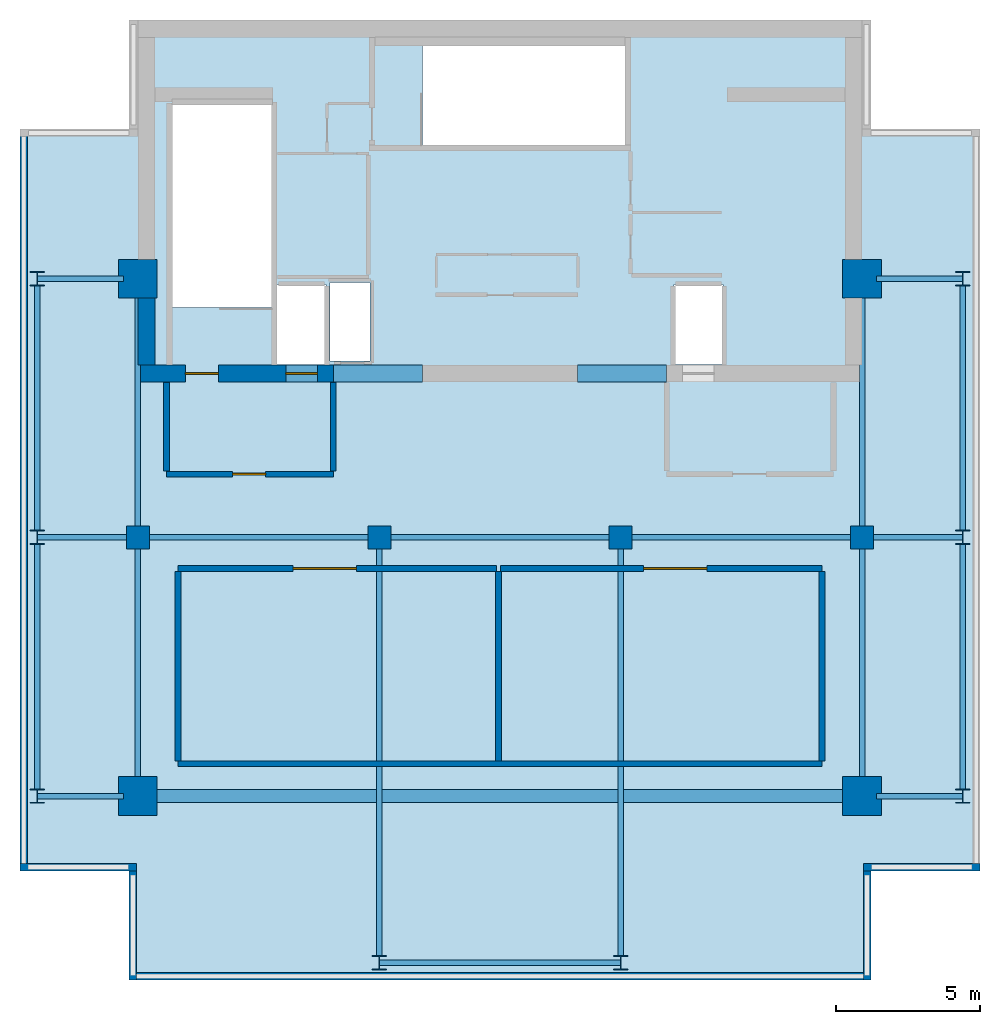
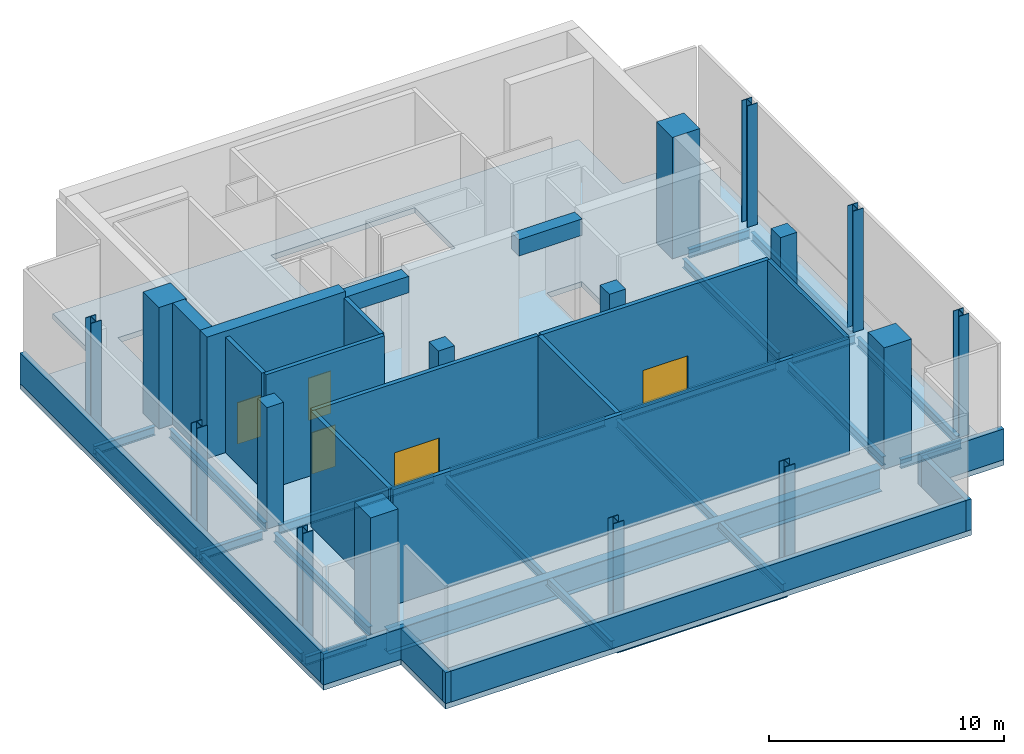
# One storey, part 1 of 4: 23 beams, 17 walls, 16 columns, 5 doors, 1 slab, 5 openings.
"""IFC4 building model written with IfcOpenShell, lengths in metres."""

from ifc_helpers import new_model, si_unit, direction, frame, frame_2d, origin, origin_2d, place, context, subcontext, project, spatial, polyline, rectangle, i_section, outline, extrude, material, layer, layer_set, material_profile, profile_set, type_object, element, fill, save


model = new_model("IFC4")

# Units and contexts
model_context = context("Model", 3, precision=1e-05, world=origin(), true_north=direction((0.0, 1.0)))
body_context = subcontext(model_context, "Body", "Model", "MODEL_VIEW")
ifc_project = project(units=[si_unit("LENGTHUNIT", "METRE"), si_unit("AREAUNIT", "SQUARE_METRE"), si_unit("VOLUMEUNIT", "CUBIC_METRE"), si_unit("PLANEANGLEUNIT", "RADIAN"), si_unit("MASSUNIT", "GRAM", prefix="KILO")], contexts=[model_context])

# Site, building, storey
site_placement = place(None, origin())
site = spatial("IfcSite", under=ifc_project, at=site_placement, CompositionType="ELEMENT")
building_placement = place(site_placement, origin())
building = spatial("IfcBuilding", under=site, at=building_placement, Name="Maruvema Waterfront Hotel and Observation Tower", CompositionType="ELEMENT")
storey_placement = place(building_placement, frame((0.0, 0.0, 369.949951171875)))
storey = spatial("IfcBuildingStorey", under=building, at=storey_placement, Name="L90", CompositionType="ELEMENT", Elevation=369.949951171875)

# Columns
ifc_material_1 = material(Name="Concrete C70/85", Category="concrete")
ifc_material_profile_1 = material_profile(ifc_material_1, rectangle(XDim=1.35009765625, YDim=1.35009765625, at=origin_2d()), Name="MC1350x1350")
ifc_profile_set_1 = profile_set([ifc_material_profile_1], Name="Concrete C70/85")
column_type_1 = type_object("IfcColumnType", Name="Continuous Mega-Column MC1350x1350", PredefinedType="COLUMN", material=ifc_profile_set_1)
for number, where, z_axis, x_axis, name in (
    (1, (25.199951171875, 27.0, 0.0), (0.0, 0.0, 1.0), (1.0, 0.0, 0.0), "L90 Continuous Mega-Column MC-01"),
    (2, (50.39990234375, 27.0, 0.0), (0.0, 0.0, 1.0), (1.0, 0.0, 0.0), "L90 Continuous Mega-Column MC-02"),
    (3, (25.199951171875, 45.0, 0.0), (0.0, 0.0, 1.0), (1.0, 0.0, 0.0), "L90 Continuous Mega-Column MC-03"),
    (4, (50.39990234375, 45.0, 0.0), (0.0, 0.0, 1.0), (1.0, 0.0, 0.0), "L90 Continuous Mega-Column MC-04"),
):
    element("IfcColumn", number, at=place(storey_placement, frame(where, z_axis=z_axis, x_axis=x_axis)), inside=storey, type_object=column_type_1, Name=name, PredefinedType="COLUMN", context=body_context, shape_type="SweptSolid", body=[
        extrude(rectangle(XDim=1.35009765625, YDim=1.35009765625, at=origin_2d()), origin(), (0.0, 0.0, 1.0), 6.300048828125),
    ])
ifc_material_2 = material(Name="Concrete C60/75", Category="concrete")
ifc_material_profile_2 = material_profile(ifc_material_2, rectangle(XDim=0.800048828125, YDim=0.800048828125, at=origin_2d()), Name="RC800x800")
ifc_profile_set_2 = profile_set([ifc_material_profile_2], Name="Concrete C60/75")
column_type_2 = type_object("IfcColumnType", Name="Reinforced Concrete Column RC800x800", PredefinedType="COLUMN", material=ifc_profile_set_2)
for number, where, z_axis, x_axis, name in (
    (5, (25.199951171875, 36.0, 0.0), (0.0, 0.0, 1.0), (1.0, 0.0, 0.0), "L90 Column C-4E"),
    (6, (33.60009765625, 36.0, 0.0), (0.0, 0.0, 1.0), (1.0, 0.0, 0.0), "L90 Column C-5E"),
    (7, (42.0, 36.0, 0.0), (0.0, 0.0, 1.0), (1.0, 0.0, 0.0), "L90 Column C-6E"),
    (8, (50.39990234375, 36.0, 0.0), (0.0, 0.0, 1.0), (1.0, 0.0, 0.0), "L90 Column C-7E"),
):
    element("IfcColumn", number, at=place(storey_placement, frame(where, z_axis=z_axis, x_axis=x_axis)), inside=storey, type_object=column_type_2, Name=name, PredefinedType="COLUMN", context=body_context, shape_type="SweptSolid", body=[
        extrude(rectangle(XDim=0.800048828125, YDim=0.800048828125, at=origin_2d()), origin(), (0.0, 0.0, 1.0), 6.300048828125),
    ])
ifc_material_3 = material(Name="Steel ABNT NBR 7007 AR 415 (ASTM A572 Grade 50)", Category="steel")
ifc_material_profile_3 = material_profile(ifc_material_3, i_section(OverallWidth=0.5, OverallDepth=0.5, WebThickness=0.02197265625, FlangeThickness=0.031982421875, at=origin_2d()), Name="CVS500x223")
ifc_profile_set_3 = profile_set([ifc_material_profile_3], Name="Steel ABNT NBR 7007 AR 415 (ASTM A572 Grade 50)")
column_type_3 = type_object("IfcColumnType", Name="Structural Steel Column CVS500x223", PredefinedType="COLUMN", material=ifc_profile_set_3)
for number, where, z_axis, x_axis, name in (
    (9, (21.699951171875, 27.0, 0.0), (0.0, 0.0, 1.0), (1.0, 0.0, 0.0), "L90 Column C-CRW27"),
    (10, (53.89990234375, 27.0, 0.0), (0.0, 0.0, 1.0), (1.0, 0.0, 0.0), "L90 Column C-CRE27"),
    (11, (21.699951171875, 36.0, 0.0), (0.0, 0.0, 1.0), (1.0, 0.0, 0.0), "L90 Column C-CRW36"),
    (12, (53.89990234375, 36.0, 0.0), (0.0, 0.0, 1.0), (1.0, 0.0, 0.0), "L90 Column C-CRE36"),
    (13, (21.699951171875, 45.0, 0.0), (0.0, 0.0, 1.0), (1.0, 0.0, 0.0), "L90 Column C-CRW45"),
    (14, (53.89990234375, 45.0, 0.0), (0.0, 0.0, 1.0), (1.0, 0.0, 0.0), "L90 Column C-CRE45"),
):
    element("IfcColumn", number, at=place(storey_placement, frame(where, z_axis=z_axis, x_axis=x_axis)), inside=storey, type_object=column_type_3, Name=name, PredefinedType="COLUMN", context=body_context, shape_type="SweptSolid", body=[
        extrude(i_section(OverallWidth=0.5, OverallDepth=0.5, WebThickness=0.02197265625, FlangeThickness=0.031982421875, at=origin_2d()), origin(), (0.0, 0.0, 1.0), 6.300048828125),
    ])
for number, where, z_axis, x_axis, name in (
    (15, (33.60009765625, 21.199951171875, 0.0), (0.0, 0.0, 1.0), (1.0, 0.0, 0.0), "L90 Column C-CRS5"),
    (16, (42.0, 21.199951171875, 0.0), (0.0, 0.0, 1.0), (1.0, 0.0, 0.0), "L90 Column C-CRS6"),
):
    element("IfcColumn", number, at=place(storey_placement, frame(where, z_axis=z_axis, x_axis=x_axis)), inside=storey, type_object=column_type_3, Name=name, PredefinedType="COLUMN", context=body_context, shape_type="SweptSolid", body=[
        extrude(i_section(OverallWidth=0.5, OverallDepth=0.5, WebThickness=0.02197265625, FlangeThickness=0.031982421875, at=origin_2d()), origin(), (0.0, 0.0, 1.0), 6.1689453125),
    ])

# Beams
ifc_material_4 = material(Name="Concrete C60/75", Category="concrete")
ifc_material_profile_4 = material_profile(ifc_material_4, rectangle(XDim=0.60009765625, YDim=0.85009765625, at=origin_2d()), Name="CB600x850")
ifc_profile_set_4 = profile_set([ifc_material_profile_4], Name="Concrete C60/75")
beam_type_1 = type_object("IfcBeamType", Name="Core Coupling Lintel Beam CB600x850", PredefinedType="LINTEL", material=ifc_profile_set_4)
for number, where, z_axis, x_axis, name in (
    (17, (32.0, 41.699951171875, 5.574951171875), (1.0, 0.0, 0.0), (0.0, 1.0, 0.0), "L90 Core Coupling Lintel Beam West"),
    (18, (40.5, 41.699951171875, 5.574951171875), (1.0, 0.0, 0.0), (0.0, 1.0, 0.0), "L90 Core Coupling Lintel Beam East"),
):
    element("IfcBeam", number, at=place(storey_placement, frame(where, z_axis=z_axis, x_axis=x_axis)), inside=storey, type_object=beam_type_1, Name=name, PredefinedType="LINTEL", context=body_context, shape_type="SweptSolid", body=[
        extrude(rectangle(XDim=0.60009765625, YDim=0.85009765625, at=origin_2d()), origin(), (0.0, 0.0, 1.0), 3.10009765625),
    ])
ifc_material_5 = material(Name="Steel ASTM A572 Grade 50", Category="steel")
ifc_material_profile_5 = material_profile(ifc_material_5, i_section(OverallWidth=0.19189453125, OverallDepth=0.462890625, WebThickness=0.010498046875, FlangeThickness=0.017578125, FilletRadius=0.014892578125, at=origin_2d()), Name="W460x89.0")
ifc_profile_set_5 = profile_set([ifc_material_profile_5], Name="Steel ASTM A572 Grade 50")
beam_type_2 = type_object("IfcBeamType", Name="Primary Floor Girder W460x89.0", PredefinedType="BEAM", material=ifc_profile_set_5)
beam_1_placement = place(storey_placement, frame((33.611083984375, 21.199951171875, -0.511474609375), z_axis=(1.0, 0.0, 0.0), x_axis=(0.0, 1.0, 0.0)))
element("IfcBeam", 19, at=beam_1_placement, inside=storey, type_object=beam_type_2, Name="L90 Floor Girder EW-01", PredefinedType="BEAM", context=body_context, shape_type="SweptSolid", body=[
    extrude(i_section(OverallWidth=0.19189453125, OverallDepth=0.462890625, WebThickness=0.010498046875, FlangeThickness=0.017578125, FilletRadius=0.014892578125, at=origin_2d()), origin(), (0.0, 0.0, 1.0), 8.3779296875),
])
for number, where, z_axis, x_axis, name in (
    (20, (21.7109375, 27.0, -0.511474609375), (1.0, 0.0, 0.0), (0.0, 1.0, 0.0), "L90 Floor Girder EW-02"),
    (21, (50.89990234375, 27.0, -0.511474609375), (1.0, 0.0, 0.0), (0.0, 1.0, 0.0), "L90 Floor Girder EW-04"),
):
    element("IfcBeam", number, at=place(storey_placement, frame(where, z_axis=z_axis, x_axis=x_axis)), inside=storey, type_object=beam_type_2, Name=name, PredefinedType="BEAM", context=body_context, shape_type="SweptSolid", body=[
        extrude(i_section(OverallWidth=0.19189453125, OverallDepth=0.462890625, WebThickness=0.010498046875, FlangeThickness=0.017578125, FilletRadius=0.014892578125, at=origin_2d()), origin(), (0.0, 0.0, 1.0), 2.989013671875),
    ])
beam_2_placement = place(storey_placement, frame((21.7109375, 36.0, -0.511474609375), z_axis=(1.0, 0.0, 0.0), x_axis=(0.0, 1.0, 0.0)))
element("IfcBeam", 22, at=beam_2_placement, inside=storey, type_object=beam_type_2, Name="L90 Floor Girder EW-05", PredefinedType="BEAM", context=body_context, shape_type="SweptSolid", body=[
    extrude(i_section(OverallWidth=0.19189453125, OverallDepth=0.462890625, WebThickness=0.010498046875, FlangeThickness=0.017578125, FilletRadius=0.014892578125, at=origin_2d()), origin(), (0.0, 0.0, 1.0), 3.089111328125),
])
beam_3_placement = place(storey_placement, frame((25.60009765625, 36.0, -0.511474609375), z_axis=(1.0, 0.0, 0.0), x_axis=(0.0, 1.0, 0.0)))
element("IfcBeam", 23, at=beam_3_placement, inside=storey, type_object=beam_type_2, Name="L90 Floor Girder EW-06", PredefinedType="BEAM", context=body_context, shape_type="SweptSolid", body=[
    extrude(i_section(OverallWidth=0.19189453125, OverallDepth=0.462890625, WebThickness=0.010498046875, FlangeThickness=0.017578125, FilletRadius=0.014892578125, at=origin_2d()), origin(), (0.0, 0.0, 1.0), 7.599853515625),
])
for number, where, z_axis, x_axis, name in (
    (24, (34.0, 36.0, -0.511474609375), (1.0, 0.0, 0.0), (0.0, 1.0, 0.0), "L90 Floor Girder EW-07"),
    (25, (42.39990234375, 36.0, -0.511474609375), (1.0, 0.0, 0.0), (0.0, 1.0, 0.0), "L90 Floor Girder EW-08"),
):
    element("IfcBeam", number, at=place(storey_placement, frame(where, z_axis=z_axis, x_axis=x_axis)), inside=storey, type_object=beam_type_2, Name=name, PredefinedType="BEAM", context=body_context, shape_type="SweptSolid", body=[
        extrude(i_section(OverallWidth=0.19189453125, OverallDepth=0.462890625, WebThickness=0.010498046875, FlangeThickness=0.017578125, FilletRadius=0.014892578125, at=origin_2d()), origin(), (0.0, 0.0, 1.0), 7.60009765625),
    ])
beam_4_placement = place(storey_placement, frame((50.800048828125, 36.0, -0.511474609375), z_axis=(1.0, 0.0, 0.0), x_axis=(0.0, 1.0, 0.0)))
element("IfcBeam", 26, at=beam_4_placement, inside=storey, type_object=beam_type_2, Name="L90 Floor Girder EW-09", PredefinedType="BEAM", context=body_context, shape_type="SweptSolid", body=[
    extrude(i_section(OverallWidth=0.19189453125, OverallDepth=0.462890625, WebThickness=0.010498046875, FlangeThickness=0.017578125, FilletRadius=0.014892578125, at=origin_2d()), origin(), (0.0, 0.0, 1.0), 3.0888671875),
])
for number, where, z_axis, x_axis, name in (
    (27, (21.7109375, 45.0, -0.511474609375), (1.0, 0.0, 0.0), (0.0, 1.0, 0.0), "L90 Floor Girder EW-10"),
    (28, (50.89990234375, 45.0, -0.511474609375), (1.0, 0.0, 0.0), (0.0, 1.0, 0.0), "L90 Floor Girder EW-11"),
):
    element("IfcBeam", number, at=place(storey_placement, frame(where, z_axis=z_axis, x_axis=x_axis)), inside=storey, type_object=beam_type_2, Name=name, PredefinedType="BEAM", context=body_context, shape_type="SweptSolid", body=[
        extrude(i_section(OverallWidth=0.19189453125, OverallDepth=0.462890625, WebThickness=0.010498046875, FlangeThickness=0.017578125, FilletRadius=0.014892578125, at=origin_2d()), origin(), (0.0, 0.0, 1.0), 2.989013671875),
    ])
for number, where, z_axis, x_axis, name in (
    (29, (21.699951171875, 27.25, -0.511474609375), (0.0, 1.0, 0.0), (-1.0, 0.0, 0.0), "L90 Floor Girder NS-01"),
    (30, (21.699951171875, 36.25, -0.511474609375), (0.0, 1.0, 0.0), (-1.0, 0.0, 0.0), "L90 Floor Girder NS-02"),
):
    element("IfcBeam", number, at=place(storey_placement, frame(where, z_axis=z_axis, x_axis=x_axis)), inside=storey, type_object=beam_type_2, Name=name, PredefinedType="BEAM", context=body_context, shape_type="SweptSolid", body=[
        extrude(i_section(OverallWidth=0.19189453125, OverallDepth=0.462890625, WebThickness=0.010498046875, FlangeThickness=0.017578125, FilletRadius=0.014892578125, at=origin_2d()), origin(), (0.0, 0.0, 1.0), 8.5),
    ])
for number, where, z_axis, x_axis, name in (
    (31, (25.199951171875, 27.5, -0.511474609375), (0.0, 1.0, 0.0), (-1.0, 0.0, 0.0), "L90 Floor Girder NS-03"),
    (32, (25.199951171875, 36.39990234375, -0.511474609375), (0.0, 1.0, 0.0), (-1.0, 0.0, 0.0), "L90 Floor Girder NS-04"),
):
    element("IfcBeam", number, at=place(storey_placement, frame(where, z_axis=z_axis, x_axis=x_axis)), inside=storey, type_object=beam_type_2, Name=name, PredefinedType="BEAM", context=body_context, shape_type="SweptSolid", body=[
        extrude(i_section(OverallWidth=0.19189453125, OverallDepth=0.462890625, WebThickness=0.010498046875, FlangeThickness=0.017578125, FilletRadius=0.014892578125, at=origin_2d()), origin(), (0.0, 0.0, 1.0), 8.10009765625),
    ])
for number, where, z_axis, x_axis, name in (
    (33, (33.60009765625, 21.449951171875, -0.511474609375), (0.0, 1.0, 0.0), (-1.0, 0.0, 0.0), "L90 Floor Girder NS-05"),
    (34, (42.0, 21.449951171875, -0.511474609375), (0.0, 1.0, 0.0), (-1.0, 0.0, 0.0), "L90 Floor Girder NS-06"),
):
    element("IfcBeam", number, at=place(storey_placement, frame(where, z_axis=z_axis, x_axis=x_axis)), inside=storey, type_object=beam_type_2, Name=name, PredefinedType="BEAM", context=body_context, shape_type="SweptSolid", body=[
        extrude(i_section(OverallWidth=0.19189453125, OverallDepth=0.462890625, WebThickness=0.010498046875, FlangeThickness=0.017578125, FilletRadius=0.014892578125, at=origin_2d()), origin(), (0.0, 0.0, 1.0), 14.150146484375),
    ])
for number, where, z_axis, x_axis, name in (
    (35, (50.39990234375, 27.5, -0.511474609375), (0.0, 1.0, 0.0), (-1.0, 0.0, 0.0), "L90 Floor Girder NS-07"),
    (36, (50.39990234375, 36.39990234375, -0.511474609375), (0.0, 1.0, 0.0), (-1.0, 0.0, 0.0), "L90 Floor Girder NS-08"),
):
    element("IfcBeam", number, at=place(storey_placement, frame(where, z_axis=z_axis, x_axis=x_axis)), inside=storey, type_object=beam_type_2, Name=name, PredefinedType="BEAM", context=body_context, shape_type="SweptSolid", body=[
        extrude(i_section(OverallWidth=0.19189453125, OverallDepth=0.462890625, WebThickness=0.010498046875, FlangeThickness=0.017578125, FilletRadius=0.014892578125, at=origin_2d()), origin(), (0.0, 0.0, 1.0), 8.10009765625),
    ])
for number, where, z_axis, x_axis, name in (
    (37, (53.89990234375, 27.25, -0.511474609375), (0.0, 1.0, 0.0), (-1.0, 0.0, 0.0), "L90 Floor Girder NS-09"),
    (38, (53.89990234375, 36.25, -0.511474609375), (0.0, 1.0, 0.0), (-1.0, 0.0, 0.0), "L90 Floor Girder NS-10"),
):
    element("IfcBeam", number, at=place(storey_placement, frame(where, z_axis=z_axis, x_axis=x_axis)), inside=storey, type_object=beam_type_2, Name=name, PredefinedType="BEAM", context=body_context, shape_type="SweptSolid", body=[
        extrude(i_section(OverallWidth=0.19189453125, OverallDepth=0.462890625, WebThickness=0.010498046875, FlangeThickness=0.017578125, FilletRadius=0.014892578125, at=origin_2d()), origin(), (0.0, 0.0, 1.0), 8.5),
    ])
ifc_material_6 = material(Name="Steel ABNT NBR 7007 AR 415 (ASTM A572 Grade 50)", Category="steel")
ifc_material_profile_6 = material_profile(ifc_material_6, i_section(OverallWidth=0.449951171875, OverallDepth=1.199951171875, WebThickness=0.01904296875, FlangeThickness=0.031982421875, at=origin_2d()), Name="VS1200x366")
ifc_profile_set_6 = profile_set([ifc_material_profile_6], Name="Steel ABNT NBR 7007 AR 415 (ASTM A572 Grade 50)")
beam_type_3 = type_object("IfcBeamType", Name="Upper Setback Transfer Girder VS1200x366", PredefinedType="USERDEFINED", material=ifc_profile_set_6)
beam_5_placement = place(storey_placement, frame((25.699951171875, 27.0, -0.8798828125), z_axis=(1.0, 0.0, 0.0), x_axis=(0.0, 1.0, 0.0)))
element("IfcBeam", 39, at=beam_5_placement, inside=storey, type_object=beam_type_3, Name="L90 Floor Girder EW-03", ObjectType="TRANSFER GIRDER", PredefinedType="USERDEFINED", context=body_context, shape_type="SweptSolid", body=[
    extrude(i_section(OverallWidth=0.449951171875, OverallDepth=1.199951171875, WebThickness=0.01904296875, FlangeThickness=0.031982421875, at=origin_2d()), origin(), (0.0, 0.0, 1.0), 24.199951171875),
])

# Slab
ifc_material_7 = material(Name="Concrete C50/60", Category="concrete")
ifc_layer_1 = layer(ifc_material_7, 0.280029296875, Name="Reinforced Concrete Floor Slab 280 mm")
ifc_layer_set_1 = layer_set([ifc_layer_1], Name="Concrete C50/60")
slab_type = type_object("IfcSlabType", Name="Reinforced Concrete Floor Slab 280 mm", PredefinedType="FLOOR", material=ifc_layer_set_1)
slab_placement = place(storey_placement, frame((0.0, 0.0, -0.280029296875)))
element("IfcSlab", 40, at=slab_placement, inside=storey, type_object=slab_type, Name="L90 Structural Floor Slab", PredefinedType="FLOOR", context=body_context, shape_type="SweptSolid", body=[
    extrude(outline(polyline([(24.89990234375, 20.60009765625), (50.699951171875, 20.60009765625), (50.699951171875, 24.39990234375), (54.5, 24.39990234375), (54.5, 50.199951171875), (50.699951171875, 50.199951171875), (50.699951171875, 54.0), (24.89990234375, 54.0), (24.89990234375, 50.199951171875), (21.10009765625, 50.199951171875), (21.10009765625, 24.39990234375), (24.89990234375, 24.39990234375), (24.89990234375, 20.60009765625)]), holes=[polyline([(29.85009765625, 44.00048828125), (26.39990234375, 44.00048828125), (26.39990234375, 51.050048828125), (29.85009765625, 51.050048828125), (29.85009765625, 44.00048828125)]), polyline([(31.75, 42.02001953125), (30.050048828125, 42.02001953125), (30.050048828125, 44.800048828125), (31.75, 44.800048828125), (31.75, 42.02001953125)]), polyline([(33.280029296875, 42.139892578125), (31.8798828125, 42.139892578125), (31.8798828125, 44.860107421875), (33.280029296875, 44.860107421875), (33.280029296875, 42.139892578125)]), polyline([(35.1005859375, 49.64990234375), (35.1005859375, 53.10009765625), (42.14990234375, 53.10009765625), (42.14990234375, 49.64990234375), (35.1005859375, 49.64990234375)]), polyline([(45.550048828125, 42.02001953125), (43.85009765625, 42.02001953125), (43.85009765625, 44.800048828125), (45.550048828125, 44.800048828125), (45.550048828125, 42.02001953125)])]), origin(), (0.0, 0.0, 1.0), 0.280029296875),
])

# Wall, openings, doors
ifc_material_8 = material(Name="Concrete C60/75", Category="concrete")
ifc_layer_2 = layer(ifc_material_8, 0.60009765625, Name="Core Shear Wall 600 mm")
ifc_layer_set_2 = layer_set([ifc_layer_2], Name="Concrete C60/75")
wall_type_1 = type_object("IfcWallType", Name="Core Shear Wall 600 mm", PredefinedType="SHEAR", material=ifc_layer_set_2)
wall_1_placement = place(storey_placement, frame((25.199951171875, 41.699951171875, 0.0), z_axis=(0.0, 0.0, 1.0), x_axis=(1.0, 0.0, 0.0)))
wall_1 = element("IfcWall", 41, at=wall_1_placement, inside=storey, type_object=wall_type_1, Name="L90 South-West Core Shear Wall", PredefinedType="SHEAR", context=body_context, shape_type="SweptSolid", body=[
    extrude(rectangle(XDim=6.800048828125, YDim=0.60009765625, at=frame_2d((3.39990234375, 0.0))), origin(), (0.0, 0.0, 1.0), 6.300048828125),
])
opening_1_placement = place(wall_1_placement, frame((1.64990234375, 0.0, 0.0)))
opening_1 = element("IfcOpeningElement", 42, at=opening_1_placement, cuts=wall_1, Name="Opening SD-01", PredefinedType="OPENING", context=body_context, shape_type="SweptSolid", body=[
    extrude(rectangle(XDim=1.14990234375, YDim=2.14990234375, at=frame_2d((0.574951171875, 1.074951171875))), frame((0.0, 0.31005859375, 0.0), z_axis=(0.0, -1.0, 0.0), x_axis=(1.0, 0.0, 0.0)), (0.0, 0.0, 1.0), 0.6201171875),
])
opening_2_placement = place(wall_1_placement, frame((5.14990234375, 0.0, 0.0)))
opening_2 = element("IfcOpeningElement", 43, at=opening_2_placement, cuts=wall_1, Name="Opening LD-03", PredefinedType="OPENING", context=body_context, shape_type="SweptSolid", body=[
    extrude(rectangle(XDim=1.10009765625, YDim=2.199951171875, at=frame_2d((0.550048828125, 1.10009765625))), frame((0.0, 0.31005859375, 0.0), z_axis=(0.0, -1.0, 0.0), x_axis=(1.0, 0.0, 0.0)), (0.0, 0.0, 1.0), 0.6201171875),
])
ifc_material_9 = material(Name="Fire-rated galvanised steel leaf", Category="steel")
door_type_1 = type_object("IfcDoorType", Name="Exit Stair Fire Door 1150x2150 mm", OperationType="NOTDEFINED", PredefinedType="DOOR", material=ifc_material_9)
door_1_placement = place(opening_1_placement, origin())
door_1 = element("IfcDoor", 44, at=door_1_placement, inside=storey, type_object=door_type_1, Name="L90 Exit Stair ST-01 Fire Door", OperationType="SINGLE_SWING_LEFT", OverallHeight=2.14990234375, OverallWidth=1.14990234375, PredefinedType="DOOR", context=body_context, shape_type="SweptSolid", body=[
    extrude(rectangle(XDim=1.14990234375, YDim=2.14990234375, at=frame_2d((0.574951171875, 1.074951171875))), frame((0.0, 0.02490234375, 0.0), z_axis=(0.0, -1.0, 0.0), x_axis=(1.0, 0.0, 0.0)), (0.0, 0.0, 1.0), 0.050048828125),
])
fill(opening_1, door_1)
ifc_material_10 = material(Name="Brushed stainless steel Grade 316", Category="steel")
door_type_2 = type_object("IfcDoorType", Name="Firefighting Lift Sliding Landing Door 1100x2200 mm", OperationType="SLIDING_TO_LEFT", PredefinedType="DOOR", material=ifc_material_10)
door_2_placement = place(opening_2_placement, frame((1.10009765625, 0.0, 0.0), z_axis=(0.0, 0.0, 1.0), x_axis=(-1.0, 0.0, 0.0)))
door_2 = element("IfcDoor", 45, at=door_2_placement, inside=storey, type_object=door_type_2, Name="L90 Firefighting Lift FL-01 Landing Door", OperationType="SLIDING_TO_LEFT", OverallHeight=2.199951171875, OverallWidth=1.10009765625, PredefinedType="DOOR", context=body_context, shape_type="SweptSolid", body=[
    extrude(rectangle(XDim=1.10009765625, YDim=2.199951171875, at=frame_2d((0.550048828125, 1.10009765625))), frame((0.0, 0.02490234375, 0.0), z_axis=(0.0, -1.0, 0.0), x_axis=(1.0, 0.0, 0.0)), (0.0, 0.0, 1.0), 0.050048828125),
])
fill(opening_2, door_2)

# Walls
wall_2_placement = place(storey_placement, frame((25.5, 42.0, 0.0), z_axis=(0.0, 0.0, 1.0), x_axis=(0.0, 1.0, 0.0)))
element("IfcWall", 46, at=wall_2_placement, inside=storey, type_object=wall_type_1, Name="L90 West-South Core Shear Wall", PredefinedType="SHEAR", context=body_context, shape_type="SweptSolid", body=[
    extrude(rectangle(XDim=2.324951171875, YDim=0.60009765625, at=frame_2d((1.16259765625, 0.0))), origin(), (0.0, 0.0, 1.0), 6.300048828125),
])
ifc_material_11 = material(Name="Precast concrete C45/55 with honed Pernambuco granite facing", Category="masonry")
ifc_layer_3 = layer(ifc_material_11, 0.260009765625, Name="Exterior Granite Clad Spandrel and Pier Wall 260 mm")
ifc_layer_set_3 = layer_set([ifc_layer_3], Name="Precast concrete C45/55 with honed Pernambuco granite facing")
wall_type_2 = type_object("IfcWallType", Name="Exterior Granite Clad Spandrel and Pier Wall 260 mm", PredefinedType="SOLIDWALL", material=ifc_layer_set_3)
wall_3_placement = place(storey_placement, frame((24.89990234375, 20.72998046875, 0.0), z_axis=(0.0, 0.0, 1.0), x_axis=(1.0, 0.0, 0.0)))
element("IfcWall", 47, at=wall_3_placement, inside=storey, type_object=wall_type_2, Name="L90 Mechanical Perimeter Spandrel Wall 01", PredefinedType="SOLIDWALL", context=body_context, shape_type="SweptSolid", body=[
    extrude(rectangle(XDim=25.800048828125, YDim=0.260009765625, at=frame_2d((12.89990234375, 0.0))), origin(), (0.0, 0.0, 1.0), 1.60009765625),
])
wall_4_placement = place(storey_placement, frame((50.570068359375, 20.60009765625, 0.0), z_axis=(0.0, 0.0, 1.0), x_axis=(0.0, 1.0, 0.0)))
element("IfcWall", 48, at=wall_4_placement, inside=storey, type_object=wall_type_2, Name="L90 Mechanical Perimeter Spandrel Wall 02", PredefinedType="SOLIDWALL", context=body_context, shape_type="SweptSolid", body=[
    extrude(rectangle(XDim=3.7998046875, YDim=0.260009765625, at=frame_2d((1.89990234375, 0.0))), origin(), (0.0, 0.0, 1.0), 1.60009765625),
])
wall_5_placement = place(storey_placement, frame((50.43994140625, 24.530029296875, 0.0), z_axis=(0.0, 0.0, 1.0), x_axis=(1.0, 0.0, 0.0)))
element("IfcWall", 49, at=wall_5_placement, inside=storey, type_object=wall_type_2, Name="L90 Mechanical Perimeter Spandrel Wall 03", PredefinedType="SOLIDWALL", context=body_context, shape_type="SweptSolid", body=[
    extrude(rectangle(XDim=4.06005859375, YDim=0.260009765625, at=frame_2d((2.030029296875, 0.0))), origin(), (0.0, 0.0, 1.0), 1.60009765625),
])
wall_6_placement = place(storey_placement, frame((21.22998046875, 50.199951171875, 0.0), z_axis=(0.0, 0.0, 1.0), x_axis=(0.0, -1.0, 0.0)))
element("IfcWall", 50, at=wall_6_placement, inside=storey, type_object=wall_type_2, Name="L90 Mechanical Perimeter Spandrel Wall 10", PredefinedType="SOLIDWALL", context=body_context, shape_type="SweptSolid", body=[
    extrude(rectangle(XDim=25.800048828125, YDim=0.260009765625, at=frame_2d((12.89990234375, 0.0))), origin(), (0.0, 0.0, 1.0), 1.60009765625),
])
wall_7_placement = place(storey_placement, frame((21.10009765625, 24.530029296875, 0.0), z_axis=(0.0, 0.0, 1.0), x_axis=(1.0, 0.0, 0.0)))
element("IfcWall", 51, at=wall_7_placement, inside=storey, type_object=wall_type_2, Name="L90 Mechanical Perimeter Spandrel Wall 11", PredefinedType="SOLIDWALL", context=body_context, shape_type="SweptSolid", body=[
    extrude(rectangle(XDim=4.059814453125, YDim=0.260009765625, at=frame_2d((2.02978515625, 0.0))), origin(), (0.0, 0.0, 1.0), 1.60009765625),
])
wall_8_placement = place(storey_placement, frame((25.030029296875, 24.39990234375, 0.0), z_axis=(0.0, 0.0, 1.0), x_axis=(0.0, -1.0, 0.0)))
element("IfcWall", 52, at=wall_8_placement, inside=storey, type_object=wall_type_2, Name="L90 Mechanical Perimeter Spandrel Wall 12", PredefinedType="SOLIDWALL", context=body_context, shape_type="SweptSolid", body=[
    extrude(rectangle(XDim=3.7998046875, YDim=0.260009765625, at=frame_2d((1.89990234375, 0.0))), origin(), (0.0, 0.0, 1.0), 1.60009765625),
])

# Wall, opening, door
ifc_material_12 = material(Name="Autoclaved cellular concrete blockwork", Category="masonry")
ifc_layer_4 = layer(ifc_material_12, 0.199951171875, Name="Fire Compartment Masonry Wall 200 mm")
ifc_layer_set_4 = layer_set([ifc_layer_4], Name="Autoclaved cellular concrete blockwork")
wall_type_3 = type_object("IfcWallType", Name="Fire Compartment Masonry Wall 200 mm", PredefinedType="PARTITIONING", material=ifc_layer_set_4)
wall_9_placement = place(storey_placement, frame((26.199951171875, 38.199951171875, 0.0), z_axis=(0.0, 0.0, 1.0), x_axis=(1.0, 0.0, 0.0)))
wall_9 = element("IfcWall", 53, at=wall_9_placement, inside=storey, type_object=wall_type_3, Name="L90 FFL West South Wall 001", PredefinedType="PARTITIONING", context=body_context, shape_type="SweptSolid", body=[
    extrude(rectangle(XDim=5.800048828125, YDim=0.199951171875, at=frame_2d((2.89990234375, 0.0))), origin(), (0.0, 0.0, 1.0), 6.0),
])
opening_3_placement = place(wall_9_placement, frame((2.300048828125, 0.0, 0.0)))
opening_3 = element("IfcOpeningElement", 54, at=opening_3_placement, cuts=wall_9, Name="Opening FD-115", PredefinedType="OPENING", context=body_context, shape_type="SweptSolid", body=[
    extrude(rectangle(XDim=1.14990234375, YDim=2.14990234375, at=frame_2d((0.574951171875, 1.074951171875))), frame((0.0, 0.10986328125, 0.0), z_axis=(0.0, -1.0, 0.0), x_axis=(1.0, 0.0, 0.0)), (0.0, 0.0, 1.0), 0.219970703125),
])
ifc_material_13 = material(Name="Fire-rated galvanised steel and vision glass", Category="steel")
door_type_3 = type_object("IfcDoorType", Name="Firefighting Lobby Fire Door 1150x2150 mm", OperationType="NOTDEFINED", PredefinedType="DOOR", material=ifc_material_13)
door_3_placement = place(opening_3_placement, frame((1.14990234375, 0.0, 0.0), z_axis=(0.0, 0.0, 1.0), x_axis=(-1.0, 0.0, 0.0)))
door_3 = element("IfcDoor", 55, at=door_3_placement, inside=storey, type_object=door_type_3, Name="L90 Firefighting Lobby West Door", OperationType="SINGLE_SWING_RIGHT", OverallHeight=2.14990234375, OverallWidth=1.14990234375, PredefinedType="DOOR", context=body_context, shape_type="SweptSolid", body=[
    extrude(rectangle(XDim=1.14990234375, YDim=2.14990234375, at=frame_2d((0.574951171875, 1.074951171875))), frame((0.0, 0.02490234375, 0.0), z_axis=(0.0, -1.0, 0.0), x_axis=(1.0, 0.0, 0.0)), (0.0, 0.0, 1.0), 0.050048828125),
])
fill(opening_3, door_3)

# Walls
for number, where, z_axis, x_axis, name in (
    (56, (26.199951171875, 38.31005859375, 0.0), (0.0, 0.0, 1.0), (0.0, 1.0, 0.0), "L90 FFL West West Wall 002"),
    (57, (32.0, 38.31005859375, 0.0), (0.0, 0.0, 1.0), (0.0, 1.0, 0.0), "L90 FFL West East Wall 003"),
):
    element("IfcWall", number, at=place(storey_placement, frame(where, z_axis=z_axis, x_axis=x_axis)), inside=storey, type_object=wall_type_3, Name=name, PredefinedType="PARTITIONING", context=body_context, shape_type="SweptSolid", body=[
        extrude(rectangle(XDim=3.06982421875, YDim=0.199951171875, at=frame_2d((1.534912109375, 0.0))), origin(), (0.0, 0.0, 1.0), 6.0),
    ])

# Wall, opening, door
wall_10_placement = place(storey_placement, frame((26.60009765625, 34.919921875, 0.0), z_axis=(0.0, 0.0, 1.0), x_axis=(1.0, 0.0, 0.0)))
wall_10 = element("IfcWall", 58, at=wall_10_placement, inside=storey, type_object=wall_type_3, Name="L90 L90 Plant W North 023", PredefinedType="PARTITIONING", context=body_context, shape_type="SweptSolid", body=[
    extrude(rectangle(XDim=11.079833984375, YDim=0.199951171875, at=frame_2d((5.5400390625, 0.0))), origin(), (0.0, 0.0, 1.0), 6.0),
])
opening_4_placement = place(wall_10_placement, frame((4.0, 0.0, 0.0)))
opening_4 = element("IfcOpeningElement", 59, at=opening_4_placement, cuts=wall_10, Name="Opening DG-03", PredefinedType="OPENING", context=body_context, shape_type="SweptSolid", body=[
    extrude(rectangle(XDim=2.199951171875, YDim=2.39990234375, at=frame_2d((1.10009765625, 1.199951171875))), frame((0.0, 0.10986328125, 0.0), z_axis=(0.0, -1.0, 0.0), x_axis=(1.0, 0.0, 0.0)), (0.0, 0.0, 1.0), 0.219970703125),
])
ifc_material_14 = material(Name="Powder-coated galvanised steel", Category="steel")
door_type_4 = type_object("IfcDoorType", Name="Plant Room Double Equipment Gate 2200x2400 mm", OperationType="DOUBLE_DOOR_SINGLE_SWING", PredefinedType="GATE", material=ifc_material_14)
door_4_placement = place(opening_4_placement, origin())
door_4 = element("IfcDoor", 60, at=door_4_placement, inside=storey, type_object=door_type_4, Name="L90 Tuned Mass Damper Plant Room Gate", OperationType="DOUBLE_DOOR_SINGLE_SWING", OverallHeight=2.39990234375, OverallWidth=2.199951171875, PredefinedType="GATE", context=body_context, shape_type="SweptSolid", body=[
    extrude(rectangle(XDim=2.199951171875, YDim=2.39990234375, at=frame_2d((1.10009765625, 1.199951171875))), frame((0.0, 0.02490234375, 0.0), z_axis=(0.0, -1.0, 0.0), x_axis=(1.0, 0.0, 0.0)), (0.0, 0.0, 1.0), 0.050048828125),
])
fill(opening_4, door_4)

wall_11_placement = place(storey_placement, frame((37.820068359375, 34.919921875, 0.0), z_axis=(0.0, 0.0, 1.0), x_axis=(1.0, 0.0, 0.0)))
wall_11 = element("IfcWall", 61, at=wall_11_placement, inside=storey, type_object=wall_type_3, Name="L90 L90 Plant E North 024", PredefinedType="PARTITIONING", context=body_context, shape_type="SweptSolid", body=[
    extrude(rectangle(XDim=11.179931640625, YDim=0.199951171875, at=frame_2d((5.58984375, 0.0))), origin(), (0.0, 0.0, 1.0), 6.0),
])
opening_5_placement = place(wall_11_placement, frame((4.97998046875, 0.0, 0.0)))
opening_5 = element("IfcOpeningElement", 62, at=opening_5_placement, cuts=wall_11, Name="Opening DG-03", PredefinedType="OPENING", context=body_context, shape_type="SweptSolid", body=[
    extrude(rectangle(XDim=2.199951171875, YDim=2.39990234375, at=frame_2d((1.10009765625, 1.199951171875))), frame((0.0, 0.10986328125, 0.0), z_axis=(0.0, -1.0, 0.0), x_axis=(1.0, 0.0, 0.0)), (0.0, 0.0, 1.0), 0.219970703125),
])
door_5_placement = place(opening_5_placement, origin())
door_5 = element("IfcDoor", 63, at=door_5_placement, inside=storey, type_object=door_type_4, Name="L90 Crown Switchgear Gate", OperationType="DOUBLE_DOOR_SINGLE_SWING", OverallHeight=2.39990234375, OverallWidth=2.199951171875, PredefinedType="GATE", context=body_context, shape_type="SweptSolid", body=[
    extrude(rectangle(XDim=2.199951171875, YDim=2.39990234375, at=frame_2d((1.10009765625, 1.199951171875))), frame((0.0, 0.02490234375, 0.0), z_axis=(0.0, -1.0, 0.0), x_axis=(1.0, 0.0, 0.0)), (0.0, 0.0, 1.0), 0.050048828125),
])
fill(opening_5, door_5)

# Walls
wall_12_placement = place(storey_placement, frame((26.60009765625, 28.1201171875, 0.0), z_axis=(0.0, 0.0, 1.0), x_axis=(1.0, 0.0, 0.0)))
element("IfcWall", 64, at=wall_12_placement, inside=storey, type_object=wall_type_3, Name="L90 L90 Plant South 025", PredefinedType="PARTITIONING", context=body_context, shape_type="SweptSolid", body=[
    extrude(rectangle(XDim=22.39990234375, YDim=0.199951171875, at=frame_2d((11.199951171875, 0.0))), origin(), (0.0, 0.0, 1.0), 6.0),
])
for number, where, z_axis, x_axis, name in (
    (65, (26.60009765625, 28.219970703125, 0.0), (0.0, 0.0, 1.0), (0.0, 1.0, 0.0), "L90 L90 Plant West 026"),
    (66, (37.75, 28.219970703125, 0.0), (0.0, 0.0, 1.0), (0.0, 1.0, 0.0), "L90 L90 Plant Split 027"),
    (67, (49.0, 28.219970703125, 0.0), (0.0, 0.0, 1.0), (0.0, 1.0, 0.0), "L90 L90 Plant East 028"),
):
    element("IfcWall", number, at=place(storey_placement, frame(where, z_axis=z_axis, x_axis=x_axis)), inside=storey, type_object=wall_type_3, Name=name, PredefinedType="PARTITIONING", context=body_context, shape_type="SweptSolid", body=[
        extrude(rectangle(XDim=6.60009765625, YDim=0.199951171875, at=frame_2d((3.300048828125, 0.0))), origin(), (0.0, 0.0, 1.0), 6.0),
    ])

save(model, "model.ifc")
